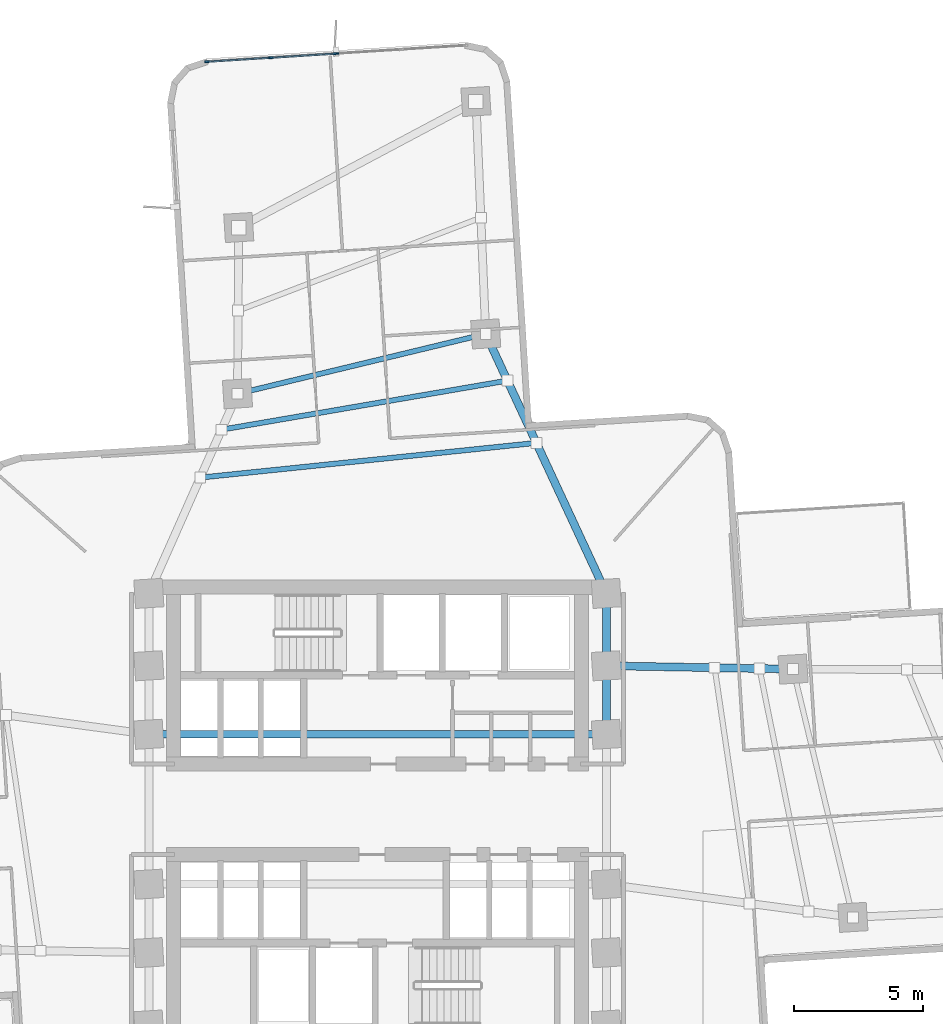
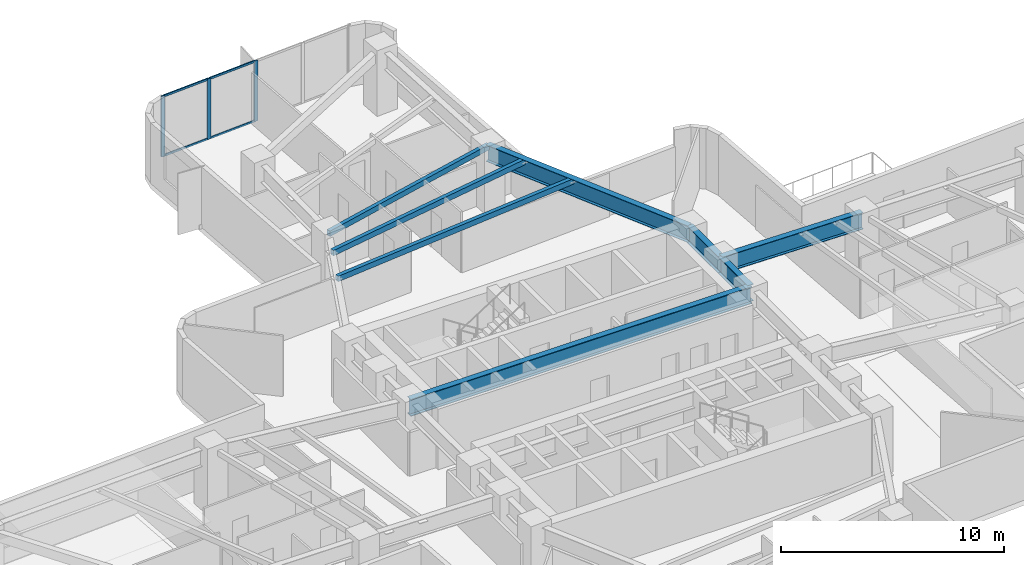
# One storey, part 5 of 16: 8 beams, 7 members, 1 element without a shape of its own.
"""IFC4 building model written with IfcOpenShell, lengths in metres."""

from ifc_helpers import new_model, si_unit, direction, frame, origin, origin_2d, place, context, subcontext, project, spatial, rectangle, hollow_rectangle, i_section, extrude, material, layer, layer_set, material_profile, profile_set, type_object, element, aggregate, save


model = new_model("IFC4")

# Units and contexts
model_context = context("Model", 3, precision=1e-05, world=origin(), true_north=direction((0.0, 1.0)))
body_context = subcontext(model_context, "Body", "Model", "MODEL_VIEW")
ifc_project = project(units=[si_unit("LENGTHUNIT", "METRE"), si_unit("AREAUNIT", "SQUARE_METRE"), si_unit("VOLUMEUNIT", "CUBIC_METRE"), si_unit("PLANEANGLEUNIT", "RADIAN"), si_unit("MASSUNIT", "GRAM", prefix="KILO")], contexts=[model_context])

# Site, building, storey
site_placement = place(None, origin())
site = spatial("IfcSite", under=ifc_project, at=site_placement, CompositionType="ELEMENT")
building_placement = place(site_placement, origin())
building = spatial("IfcBuilding", under=site, at=building_placement, Name="Solmarez Civic Tower", CompositionType="ELEMENT")
storey_placement = place(building_placement, frame((0.0, 0.0, 53.280029296875)))
storey = spatial("IfcBuildingStorey", under=building, at=storey_placement, Name="L13", CompositionType="ELEMENT", Elevation=53.280029296875)

# Beams
ifc_material_1 = material(Name="Steel S355", Category="steel")
ifc_material_profile_1 = material_profile(ifc_material_1, hollow_rectangle(XDim=0.199951171875, YDim=0.300048828125, WallThickness=0.011962890625, at=origin_2d()), Name="HSS300X200X12")
ifc_profile_set_1 = profile_set([ifc_material_profile_1], Name="Steel S355")
beam_type_1 = type_object("IfcBeamType", Name="BM-JS-HSS300X200", PredefinedType="JOIST", material=ifc_profile_set_1)
beam_1_placement = place(storey_placement, frame((4.18408203125, 18.39111328125, 3.169921875), z_axis=(-0.97215737271, -0.234328919867, 0.0), x_axis=(0.234328919867, -0.97215737271, 0.0)))
element("IfcBeam", 1, at=beam_1_placement, inside=storey, type_object=beam_type_1, Name="L13 Secondary Floor Joist BM-L13-NA-T1", PredefinedType="JOIST", context=body_context, shape_type="SweptSolid", body=[
    extrude(hollow_rectangle(XDim=0.199951171875, YDim=0.300048828125, WallThickness=0.011962890625, at=origin_2d()), origin(), (0.0, 0.0, 1.0), 9.880126953125),
])
beam_2_placement = place(storey_placement, frame((6.14404296875, 14.174072265625, 3.169921875), z_axis=(-0.9947100999, -0.102722038325, 0.0), x_axis=(0.102722038325, -0.9947100999, 0.0)))
element("IfcBeam", 2, at=beam_2_placement, inside=storey, type_object=beam_type_1, Name="L13 Secondary Floor Joist JS-L13-NA-M11", PredefinedType="JOIST", context=body_context, shape_type="SweptSolid", body=[
    extrude(hollow_rectangle(XDim=0.199951171875, YDim=0.300048828125, WallThickness=0.011962890625, at=origin_2d()), origin(), (0.0, 0.0, 1.0), 13.07421875),
])
beam_3_placement = place(storey_placement, frame((5.02392578125, 16.583984375, 3.169921875), z_axis=(-0.985583934907, -0.169187195889, 0.0), x_axis=(0.169187195889, -0.985583934907, 0.0)))
element("IfcBeam", 3, at=beam_3_placement, inside=storey, type_object=beam_type_1, Name="L13 Secondary Floor Joist JS-L13-NA-M12", PredefinedType="JOIST", context=body_context, shape_type="SweptSolid", body=[
    extrude(hollow_rectangle(XDim=0.199951171875, YDim=0.300048828125, WallThickness=0.011962890625, at=origin_2d()), origin(), (0.0, 0.0, 1.0), 11.223876953125),
])
ifc_material_profile_2 = material_profile(ifc_material_1, i_section(OverallWidth=0.303955078125, OverallDepth=0.910888671875, WebThickness=0.015869140625, FlangeThickness=0.02392578125, at=origin_2d()), Name="W36X150")
ifc_profile_set_2 = profile_set([ifc_material_profile_2], Name="Steel S355")
beam_type_2 = type_object("IfcBeamType", Name="BM-PR-W36X150", PredefinedType="BEAM", material=ifc_profile_set_2)
beam_4_placement = place(storey_placement, frame((8.85009765625, 5.550048828125, 2.864990234375), z_axis=(0.999840308455, -0.017870578882, 0.0), x_axis=(0.017870578882, 0.999840308455, 0.0)))
element("IfcBeam", 4, at=beam_4_placement, inside=storey, type_object=beam_type_2, Name="L13 Primary Floor Beam BM-L13-EA-R1B", PredefinedType="BEAM", context=body_context, shape_type="SweptSolid", body=[
    extrude(i_section(OverallWidth=0.303955078125, OverallDepth=0.910888671875, WebThickness=0.015869140625, FlangeThickness=0.02392578125, at=origin_2d()), origin(), (0.0, 0.0, 1.0), 7.22705078125),
])
beam_5_placement = place(storey_placement, frame((8.85009765625, 8.35009765625, 2.864990234375), z_axis=(-0.421417065364, 0.906866945599, 0.0), x_axis=(-0.906866945599, -0.421417065364, 0.0)))
element("IfcBeam", 5, at=beam_5_placement, inside=storey, type_object=beam_type_2, Name="L13 Primary Floor Beam BM-L13-NA-R1A", PredefinedType="BEAM", context=body_context, shape_type="SweptSolid", body=[
    extrude(i_section(OverallWidth=0.303955078125, OverallDepth=0.910888671875, WebThickness=0.015869140625, FlangeThickness=0.02392578125, at=origin_2d()), origin(), (0.0, 0.0, 1.0), 11.072265625),
])
ifc_material_profile_3 = material_profile(ifc_material_1, i_section(OverallWidth=0.306884765625, OverallDepth=0.927001953125, WebThickness=0.019287109375, FlangeThickness=0.031982421875, at=origin_2d()), Name="W36X194")
ifc_profile_set_3 = profile_set([ifc_material_profile_3], Name="Steel S355")
beam_type_3 = type_object("IfcBeamType", Name="BM-PR-W36X194", PredefinedType="BEAM", material=ifc_profile_set_3)
beam_6_placement = place(storey_placement, frame((8.85009765625, 2.89990234375, 2.85595703125), z_axis=(0.0, 1.0, 0.0), x_axis=(-1.0, 0.0, 0.0)))
element("IfcBeam", 6, at=beam_6_placement, inside=storey, type_object=beam_type_3, Name="L13 Primary Floor Beam BM-L13-HC7-HC8", PredefinedType="BEAM", context=body_context, shape_type="SweptSolid", body=[
    extrude(i_section(OverallWidth=0.306884765625, OverallDepth=0.927001953125, WebThickness=0.019287109375, FlangeThickness=0.031982421875, at=origin_2d()), origin(), (0.0, 0.0, 1.0), 2.650146484375),
])
beam_7_placement = place(storey_placement, frame((8.85009765625, 5.550048828125, 2.85595703125), z_axis=(0.0, 1.0, 0.0), x_axis=(-1.0, 0.0, 0.0)))
element("IfcBeam", 7, at=beam_7_placement, inside=storey, type_object=beam_type_3, Name="L13 Primary Floor Beam BM-L13-HC8-HC11", PredefinedType="BEAM", context=body_context, shape_type="SweptSolid", body=[
    extrude(i_section(OverallWidth=0.306884765625, OverallDepth=0.927001953125, WebThickness=0.019287109375, FlangeThickness=0.031982421875, at=origin_2d()), origin(), (0.0, 0.0, 1.0), 2.800048828125),
])
beam_8_placement = place(storey_placement, frame((-8.85009765625, 2.89990234375, 2.85595703125), z_axis=(1.0, 0.0, 0.0), x_axis=(0.0, 1.0, 0.0)))
element("IfcBeam", 8, at=beam_8_placement, inside=storey, type_object=beam_type_3, Name="L13 Primary Floor Beam BM-L13-HC3-HC7", PredefinedType="BEAM", context=body_context, shape_type="SweptSolid", body=[
    extrude(i_section(OverallWidth=0.306884765625, OverallDepth=0.927001953125, WebThickness=0.019287109375, FlangeThickness=0.031982421875, at=origin_2d()), origin(), (0.0, 0.0, 1.0), 17.7001953125),
])

# Curtain wall, members
ifc_material_2 = material(Name="Bronze Anodised Aluminium EN AW-6063 T6", Category="aluminium")
ifc_layer = layer(ifc_material_2, 0.155029296875)
ifc_layer_set = layer_set([ifc_layer], Name="Bronze Anodised Aluminium EN AW-6063 T6")
curtain_wall_type = type_object("IfcCurtainWallType", Name="CW-SYS-6", PredefinedType="NOTDEFINED", material=ifc_layer_set)
curtain_wall_placement = place(storey_placement, origin())
curtain_wall = element("IfcCurtainWall", 9, at=curtain_wall_placement, inside=storey, type_object=curtain_wall_type, Name="L13 Stick-Built Curtain Wall 2", PredefinedType="NOTDEFINED")
ifc_material_profile_4 = material_profile(ifc_material_2, rectangle(XDim=0.070068359375, YDim=0.179931640625, at=origin_2d()), Name="CWM-70X180")
ifc_profile_set_4 = profile_set([ifc_material_profile_4], Name="Bronze Anodised Aluminium EN AW-6063 T6")
member_type_1 = type_object("IfcMemberType", Name="CWM-TYPE-2", PredefinedType="MULLION", material=ifc_profile_set_4)
member_1_placement = place(storey_placement, frame((-6.60302734375, 28.922119140625, 0.0), z_axis=(0.0, 0.0, 1.0), x_axis=(-0.062883830323, 0.998020853431, 0.0)))
member_1 = element("IfcMember", 10, at=member_1_placement, type_object=member_type_1, Name="CWS6 mullion 1", PredefinedType="MULLION", context=body_context, shape_type="SweptSolid", body=[
    extrude(rectangle(XDim=0.070068359375, YDim=0.179931640625, at=origin_2d()), origin(), (0.0, 0.0, 1.0), 3.320068359375),
])
member_2_placement = place(storey_placement, frame((-4.118408203125, 29.078857421875, 0.0), z_axis=(0.0, 0.0, 1.0), x_axis=(-0.062883830323, 0.998020853431, 0.0)))
member_2 = element("IfcMember", 11, at=member_2_placement, type_object=member_type_1, Name="CWS6 mullion 2", PredefinedType="MULLION", context=body_context, shape_type="SweptSolid", body=[
    extrude(rectangle(XDim=0.070068359375, YDim=0.179931640625, at=origin_2d()), origin(), (0.0, 0.0, 1.0), 3.320068359375),
])
member_3_placement = place(storey_placement, frame((-1.59912109375, 29.237548828125, 0.0), z_axis=(0.0, 0.0, 1.0), x_axis=(-0.062883830323, 0.998020853431, 0.0)))
member_3 = element("IfcMember", 12, at=member_3_placement, type_object=member_type_1, Name="CWS6 mullion 3", PredefinedType="MULLION", context=body_context, shape_type="SweptSolid", body=[
    extrude(rectangle(XDim=0.070068359375, YDim=0.179931640625, at=origin_2d()), origin(), (0.0, 0.0, 1.0), 3.320068359375),
])
ifc_material_profile_5 = material_profile(ifc_material_2, rectangle(XDim=0.06005859375, YDim=0.110107421875, at=origin_2d()), Name="CWT-60X110")
ifc_profile_set_5 = profile_set([ifc_material_profile_5], Name="Bronze Anodised Aluminium EN AW-6063 T6")
member_type_2 = type_object("IfcMemberType", Name="CWT-TYPE-3", PredefinedType="USERDEFINED", material=ifc_profile_set_5)
member_4_placement = place(storey_placement, frame((-6.568115234375, 28.92431640625, 0.030029296875), z_axis=(0.998015894537, 0.062962482883, 0.0), x_axis=(-0.062962482883, 0.998015894537, 0.0)))
member_4 = element("IfcMember", 13, at=member_4_placement, type_object=member_type_2, Name="CWS6 transom 1.1", ObjectType="TRANSOM", PredefinedType="USERDEFINED", context=body_context, shape_type="SweptSolid", body=[
    extrude(rectangle(XDim=0.06005859375, YDim=0.110107421875, at=origin_2d()), origin(), (0.0, 0.0, 1.0), 2.419677734375),
])
member_5_placement = place(storey_placement, frame((-6.568115234375, 28.92431640625, 3.2900390625), z_axis=(0.998015894537, 0.062962482883, 0.0), x_axis=(-0.062962482883, 0.998015894537, 0.0)))
member_5 = element("IfcMember", 14, at=member_5_placement, type_object=member_type_2, Name="CWS6 transom 1.2", ObjectType="TRANSOM", PredefinedType="USERDEFINED", context=body_context, shape_type="SweptSolid", body=[
    extrude(rectangle(XDim=0.06005859375, YDim=0.110107421875, at=origin_2d()), origin(), (0.0, 0.0, 1.0), 2.419677734375),
])
member_6_placement = place(storey_placement, frame((-4.08349609375, 29.0810546875, 0.030029296875), z_axis=(0.998021880983, 0.062867520062, 0.0), x_axis=(-0.062867520062, 0.998021880983, 0.0)))
member_6 = element("IfcMember", 15, at=member_6_placement, type_object=member_type_2, Name="CWS6 transom 2.1", ObjectType="TRANSOM", PredefinedType="USERDEFINED", context=body_context, shape_type="SweptSolid", body=[
    extrude(rectangle(XDim=0.06005859375, YDim=0.110107421875, at=origin_2d()), origin(), (0.0, 0.0, 1.0), 2.454345703125),
])
member_7_placement = place(storey_placement, frame((-4.08349609375, 29.0810546875, 3.2900390625), z_axis=(0.998021880983, 0.062867520062, 0.0), x_axis=(-0.062867520062, 0.998021880983, 0.0)))
member_7 = element("IfcMember", 16, at=member_7_placement, type_object=member_type_2, Name="CWS6 transom 2.2", ObjectType="TRANSOM", PredefinedType="USERDEFINED", context=body_context, shape_type="SweptSolid", body=[
    extrude(rectangle(XDim=0.06005859375, YDim=0.110107421875, at=origin_2d()), origin(), (0.0, 0.0, 1.0), 2.454345703125),
])
aggregate(curtain_wall, [member_1, member_2, member_3, member_4, member_5, member_6, member_7])

save(model, "model.ifc")
